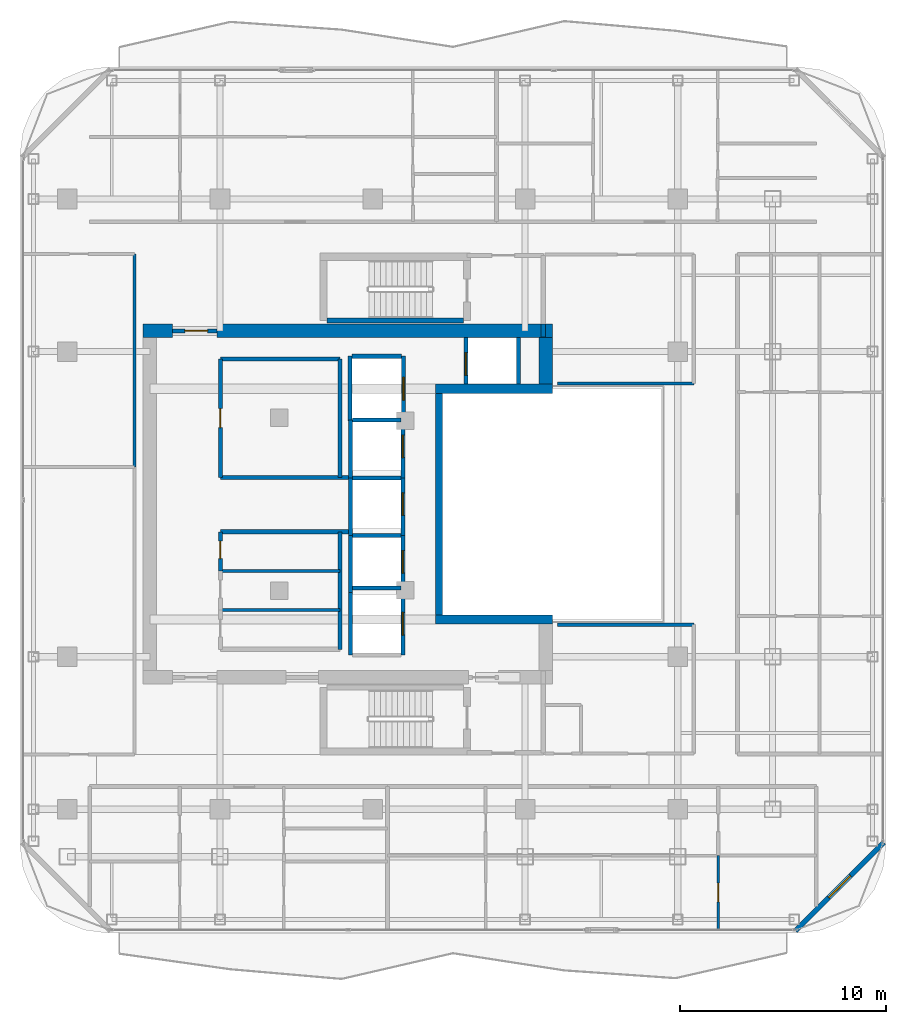
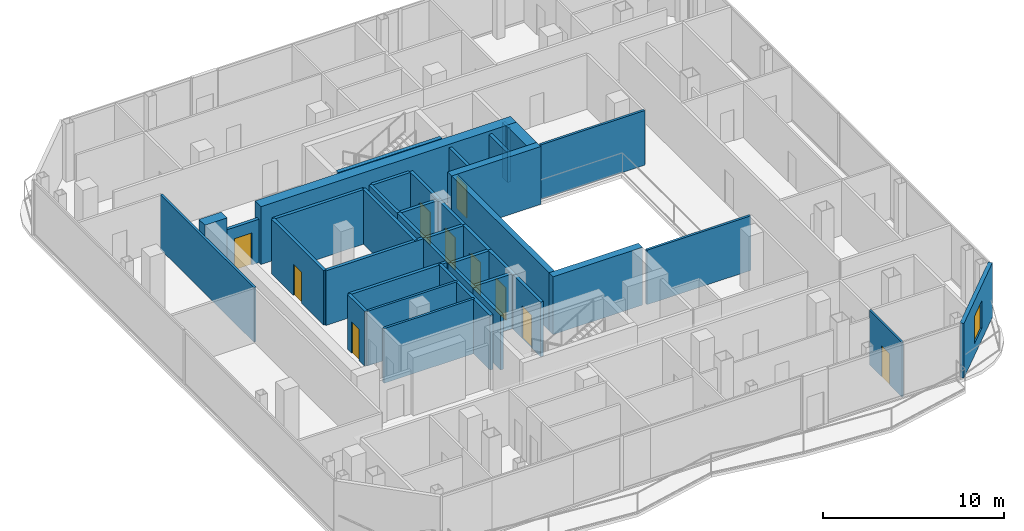
# One storey, part 17 of 22: 40 walls, 10 doors, 1 window, 11 openings.
"""IFC4 building model written with IfcOpenShell, lengths in metres."""

from ifc_helpers import new_model, si_unit, direction, frame, frame_2d, origin, place, context, subcontext, project, spatial, rectangle, extrude, material, layer, layer_set, type_object, element, fill, save


model = new_model("IFC4")

# Units and contexts
model_context = context("Model", 3, precision=1e-05, world=origin(), true_north=direction((0.0, 1.0)))
body_context = subcontext(model_context, "Body", "Model", "MODEL_VIEW")
ifc_project = project(units=[si_unit("LENGTHUNIT", "METRE"), si_unit("AREAUNIT", "SQUARE_METRE"), si_unit("VOLUMEUNIT", "CUBIC_METRE"), si_unit("PLANEANGLEUNIT", "RADIAN"), si_unit("MASSUNIT", "GRAM", prefix="KILO")], contexts=[model_context])

# Site, building, storey
site_placement = place(None, origin())
site = spatial("IfcSite", under=ifc_project, at=site_placement, CompositionType="ELEMENT")
building_placement = place(site_placement, origin())
building = spatial("IfcBuilding", under=site, at=building_placement, Name="Khorvyn Point Tower", CompositionType="ELEMENT")
storey_placement = place(building_placement, frame((0.0, 0.0, 278.10009765625)))
storey = spatial("IfcBuildingStorey", under=building, at=storey_placement, Name="L68", CompositionType="ELEMENT", Elevation=278.10009765625)

# Wall, opening, window
ifc_material_1 = material(Name="Pale anodised aluminium rainscreen on steel stud", Category="steel")
ifc_layer_1 = layer(ifc_material_1, 0.239990234375)
ifc_layer_set_1 = layer_set([ifc_layer_1], Name="Anodised Aluminium Insulated Corner Spandrel Wall 240")
wall_type_1 = type_object("IfcWallType", Name="Anodised Aluminium Insulated Corner Spandrel Wall 240", PredefinedType="SOLIDWALL", material=ifc_layer_set_1)
wall_1_placement = place(storey_placement, frame((24.79248046875, -16.40771484375, 0.0), z_axis=(0.0, 0.0, 1.0), x_axis=(-0.707126925818, -0.707086635981, 0.0)))
wall_1 = element("IfcWall", 1, at=wall_1_placement, inside=storey, type_object=wall_type_1, Name="L68 Rounded Corner Wall SE", PredefinedType="SOLIDWALL", context=body_context, shape_type="SweptSolid", body=[
    extrude(rectangle(XDim=6.0595703125, YDim=0.239990234375, at=frame_2d((3.02978515625, 0.0))), origin(), (0.0, 0.0, 1.0), 3.679931640625),
])
opening_1_placement = place(wall_1_placement, frame((2.27978515625, 0.0, 0.800048828125)))
opening_1 = element("IfcOpeningElement", 2, at=opening_1_placement, cuts=wall_1, Name="Opening WN-1518", PredefinedType="OPENING", context=body_context, shape_type="SweptSolid", body=[
    extrude(rectangle(XDim=1.5, YDim=1.85009765625, at=frame_2d((0.75, 0.925048828125))), frame((0.0, 0.1298828125, 0.0), z_axis=(0.0, -1.0, 0.0), x_axis=(1.0, 0.0, 0.0)), (0.0, 0.0, 1.0), 0.260009765625),
])
ifc_material_2 = material(Name="Anodised aluminium 6063-T6 and laminated Low-E glass", Category="aluminium")
window_type = type_object("IfcWindowType", Name="Anodised Aluminium Rounded-Corner Panoramic Window 1500x1850", PartitioningType="SINGLE_PANEL", PredefinedType="WINDOW", material=ifc_material_2)
window_placement = place(opening_1_placement, origin())
window = element("IfcWindow", 3, at=window_placement, inside=storey, type_object=window_type, Name="L68 Corner Panoramic Window SE", OverallHeight=1.85009765625, OverallWidth=1.5, PartitioningType="SINGLE_PANEL", PredefinedType="WINDOW", context=body_context, shape_type="SweptSolid", body=[
    extrude(rectangle(XDim=1.5, YDim=1.85009765625, at=frame_2d((0.75, 0.925048828125))), frame((0.0, 0.030029296875, 0.0), z_axis=(0.0, -1.0, 0.0), x_axis=(1.0, 0.0, 0.0)), (0.0, 0.0, 1.0), 0.06005859375),
])
fill(opening_1, window)

# Walls
ifc_material_3 = material(Name="Concrete C40/50", Category="concrete")
ifc_layer_2 = layer(ifc_material_3, 0.449951171875)
ifc_layer_set_2 = layer_set([ifc_layer_2], Name="Concrete C40/50 Core Shear Wall 450")
wall_type_2 = type_object("IfcWallType", Name="Concrete C40/50 Core Shear Wall 450", PredefinedType="SHEAR", material=ifc_layer_set_2)
for number, where, z_axis, x_axis, name in (
    (4, (3.044921875, -5.60009765625, 0.0), (0.0, 0.0, 1.0), (1.0, 0.0, 0.0), "Wall"),
    (5, (3.044921875, 5.60009765625, 0.0), (0.0, 0.0, 1.0), (1.0, 0.0, 0.0), "Wall"),
):
    element("IfcWall", number, at=place(storey_placement, frame(where, z_axis=z_axis, x_axis=x_axis)), inside=storey, type_object=wall_type_2, Name=name, PredefinedType="SHEAR", context=body_context, shape_type="SweptSolid", body=[
        extrude(rectangle(XDim=5.68017578125, YDim=0.449951171875, at=frame_2d((2.840087890625, 0.0))), origin(), (0.0, 0.0, 1.0), 3.89990234375),
    ])
ifc_layer_3 = layer(ifc_material_3, 0.64990234375)
ifc_layer_set_3 = layer_set([ifc_layer_3], Name="Concrete C40/50 Core Shear Wall 650")
wall_type_3 = type_object("IfcWallType", Name="Concrete C40/50 Core Shear Wall 650", PredefinedType="SHEAR", material=ifc_layer_set_3)
wall_2_placement = place(storey_placement, frame((-11.125, 8.39990234375, 0.0), z_axis=(0.0, 0.0, 1.0), x_axis=(1.0, 0.0, 0.0)))
element("IfcWall", 6, at=wall_2_placement, inside=storey, type_object=wall_type_3, Name="Wall", PredefinedType="SHEAR", context=body_context, shape_type="SweptSolid", body=[
    extrude(rectangle(XDim=1.425048828125, YDim=0.64990234375, at=frame_2d((0.71240234375, 0.0))), origin(), (0.0, 0.0, 1.0), 3.89990234375),
])
wall_3_placement = place(storey_placement, frame((-7.550048828125, 8.39990234375, 0.0), z_axis=(0.0, 0.0, 1.0), x_axis=(1.0, 0.0, 0.0)))
element("IfcWall", 7, at=wall_3_placement, inside=storey, type_object=wall_type_3, Name="Wall", PredefinedType="SHEAR", context=body_context, shape_type="SweptSolid", body=[
    extrude(rectangle(XDim=16.275146484375, YDim=0.64990234375, at=frame_2d((8.1376953125, 0.0))), origin(), (0.0, 0.0, 1.0), 3.89990234375),
])
wall_4_placement = place(storey_placement, frame((8.39990234375, 5.824951171875, 0.0), z_axis=(0.0, 0.0, 1.0), x_axis=(0.0, 1.0, 0.0)))
element("IfcWall", 8, at=wall_4_placement, inside=storey, type_object=wall_type_3, Name="Wall", PredefinedType="SHEAR", context=body_context, shape_type="SweptSolid", body=[
    extrude(rectangle(XDim=2.25, YDim=0.64990234375, at=frame_2d((1.125, 0.0))), origin(), (0.0, 0.0, 1.0), 3.89990234375),
])

# Wall, opening, door
ifc_layer_4 = layer(ifc_material_3, 0.199951171875)
ifc_layer_set_4 = layer_set([ifc_layer_4], Name="Concrete C40/50 Fire-Lobby Compartment Wall 200")
wall_type_4 = type_object("IfcWallType", Name="Concrete C40/50 Fire-Lobby Compartment Wall 200", PredefinedType="SOLIDWALL", material=ifc_layer_set_4)
wall_5_placement = place(storey_placement, frame((-9.699951171875, 8.39990234375, 0.0), z_axis=(0.0, 0.0, 1.0), x_axis=(1.0, 0.0, 0.0)))
wall_5 = element("IfcWall", 9, at=wall_5_placement, inside=storey, type_object=wall_type_4, Name="Wall", PredefinedType="SOLIDWALL", context=body_context, shape_type="SweptSolid", body=[
    extrude(rectangle(XDim=2.14990234375, YDim=0.199951171875, at=frame_2d((1.074951171875, 0.0))), origin(), (0.0, 0.0, 1.0), 2.919921875),
])
opening_2_placement = place(wall_5_placement, frame((0.597900390625, 0.0, 0.0)))
opening_2 = element("IfcOpeningElement", 10, at=opening_2_placement, cuts=wall_5, Name="Opening ID-FL90", PredefinedType="OPENING", context=body_context, shape_type="SweptSolid", body=[
    extrude(rectangle(XDim=1.10009765625, YDim=2.14990234375, at=frame_2d((0.550048828125, 1.074951171875))), frame((0.0, 0.10986328125, 0.0), z_axis=(0.0, -1.0, 0.0), x_axis=(1.0, 0.0, 0.0)), (0.0, 0.0, 1.0), 0.219970703125),
])
ifc_material_4 = material(Name="Galvanised powder-coated steel", Category="steel")
door_type_1 = type_object("IfcDoorType", Name="Fire-Rated Steel Lobby and Stair Door 1100x2150", OperationType="NOTDEFINED", PredefinedType="DOOR", material=ifc_material_4)
door_1_placement = place(opening_2_placement, origin())
door_1 = element("IfcDoor", 11, at=door_1_placement, inside=storey, type_object=door_type_1, Name="Door", OperationType="SINGLE_SWING_LEFT", OverallHeight=2.14990234375, OverallWidth=1.10009765625, PredefinedType="DOOR", context=body_context, shape_type="SweptSolid", body=[
    extrude(rectangle(XDim=1.10009765625, YDim=2.14990234375, at=frame_2d((0.550048828125, 1.074951171875))), frame((0.0, 0.02490234375, 0.0), z_axis=(0.0, -1.0, 0.0), x_axis=(1.0, 0.0, 0.0)), (0.0, 0.0, 1.0), 0.050048828125),
])
fill(opening_2, door_1)

wall_6_placement = place(storey_placement, frame((-7.3798828125, -3.239990234375, 0.0), z_axis=(0.0, 0.0, 1.0), x_axis=(0.0, 1.0, 0.0)))
wall_6 = element("IfcWall", 12, at=wall_6_placement, inside=storey, type_object=wall_type_4, Name="Wall", PredefinedType="SOLIDWALL", context=body_context, shape_type="SweptSolid", body=[
    extrude(rectangle(XDim=1.89990234375, YDim=0.199951171875, at=frame_2d((0.949951171875, 0.0))), origin(), (0.0, 0.0, 1.0), 3.679931640625),
])
opening_3_placement = place(wall_6_placement, frame((0.597900390625, 0.0, 0.0)))
opening_3 = element("IfcOpeningElement", 13, at=opening_3_placement, cuts=wall_6, Name="Opening ID-WC85", PredefinedType="OPENING", context=body_context, shape_type="SweptSolid", body=[
    extrude(rectangle(XDim=0.85009765625, YDim=2.10009765625, at=frame_2d((0.425048828125, 1.050048828125))), frame((0.0, 0.10986328125, 0.0), z_axis=(0.0, -1.0, 0.0), x_axis=(1.0, 0.0, 0.0)), (0.0, 0.0, 1.0), 0.219970703125),
])
ifc_material_5 = material(Name="High-pressure laminate on moisture-resistant core", Category="wood")
door_type_2 = type_object("IfcDoorType", Name="Moisture-Resistant Accessible Washroom Door 850x2100", OperationType="NOTDEFINED", PredefinedType="DOOR", material=ifc_material_5)
door_2_placement = place(opening_3_placement, origin())
door_2 = element("IfcDoor", 14, at=door_2_placement, inside=storey, type_object=door_type_2, Name="Door", OperationType="SINGLE_SWING_RIGHT", OverallHeight=2.10009765625, OverallWidth=0.85009765625, PredefinedType="DOOR", context=body_context, shape_type="SweptSolid", body=[
    extrude(rectangle(XDim=0.85009765625, YDim=2.10009765625, at=frame_2d((0.425048828125, 1.050048828125))), frame((0.0, 0.02490234375, 0.0), z_axis=(0.0, -1.0, 0.0), x_axis=(1.0, 0.0, 0.0)), (0.0, 0.0, 1.0), 0.050048828125),
])
fill(opening_3, door_2)

wall_7_placement = place(storey_placement, frame((-7.3798828125, 1.300048828125, 0.0), z_axis=(0.0, 0.0, 1.0), x_axis=(0.0, 1.0, 0.0)))
wall_7 = element("IfcWall", 15, at=wall_7_placement, inside=storey, type_object=wall_type_4, Name="Wall", PredefinedType="SOLIDWALL", context=body_context, shape_type="SweptSolid", body=[
    extrude(rectangle(XDim=5.739990234375, YDim=0.199951171875, at=frame_2d((2.8701171875, 0.0))), origin(), (0.0, 0.0, 1.0), 3.679931640625),
])
opening_4_placement = place(wall_7_placement, frame((2.409912109375, 0.0, 0.0)))
opening_4 = element("IfcOpeningElement", 16, at=opening_4_placement, cuts=wall_7, Name="Opening ID-RS60", PredefinedType="OPENING", context=body_context, shape_type="SweptSolid", body=[
    extrude(rectangle(XDim=0.919921875, YDim=2.10009765625, at=frame_2d((0.4599609375, 1.050048828125))), frame((0.0, 0.10986328125, 0.0), z_axis=(0.0, -1.0, 0.0), x_axis=(1.0, 0.0, 0.0)), (0.0, 0.0, 1.0), 0.219970703125),
])
door_type_3 = type_object("IfcDoorType", Name="Fire-Rated Riser and Store Steel Door 920x2100", OperationType="NOTDEFINED", PredefinedType="DOOR", material=ifc_material_4)
door_3_placement = place(opening_4_placement, origin())
door_3 = element("IfcDoor", 17, at=door_3_placement, inside=storey, type_object=door_type_3, Name="Door", OperationType="SINGLE_SWING_LEFT", OverallHeight=2.10009765625, OverallWidth=0.919921875, PredefinedType="DOOR", context=body_context, shape_type="SweptSolid", body=[
    extrude(rectangle(XDim=0.919921875, YDim=2.10009765625, at=frame_2d((0.4599609375, 1.050048828125))), frame((0.0, 0.02490234375, 0.0), z_axis=(0.0, -1.0, 0.0), x_axis=(1.0, 0.0, 0.0)), (0.0, 0.0, 1.0), 0.050048828125),
])
fill(opening_4, door_3)

# Walls
for number, where, z_axis, x_axis, name in (
    (18, (-7.3798828125, -1.340087890625, 0.0), (0.0, 0.0, 1.0), (1.0, 0.0, 0.0), "Wall"),
    (19, (-7.3798828125, 1.300048828125, 0.0), (0.0, 0.0, 1.0), (1.0, 0.0, 0.0), "Wall"),
):
    element("IfcWall", number, at=place(storey_placement, frame(where, z_axis=z_axis, x_axis=x_axis)), inside=storey, type_object=wall_type_4, Name=name, PredefinedType="SOLIDWALL", context=body_context, shape_type="SweptSolid", body=[
        extrude(rectangle(XDim=6.239990234375, YDim=0.199951171875, at=frame_2d((3.1201171875, 0.0))), origin(), (0.0, 0.0, 1.0), 3.679931640625),
    ])
wall_8_placement = place(storey_placement, frame((-1.580078125, -7.0400390625, 0.0), z_axis=(0.0, 0.0, 1.0), x_axis=(0.0, 1.0, 0.0)))
element("IfcWall", 20, at=wall_8_placement, inside=storey, type_object=wall_type_4, Name="Wall", PredefinedType="SOLIDWALL", context=body_context, shape_type="SweptSolid", body=[
    extrude(rectangle(XDim=5.699951171875, YDim=0.199951171875, at=frame_2d((2.85009765625, 0.0))), origin(), (0.0, 0.0, 1.0), 3.679931640625),
])
wall_9_placement = place(storey_placement, frame((-1.580078125, 1.300048828125, 0.0), z_axis=(0.0, 0.0, 1.0), x_axis=(0.0, 1.0, 0.0)))
element("IfcWall", 21, at=wall_9_placement, inside=storey, type_object=wall_type_4, Name="Wall", PredefinedType="SOLIDWALL", context=body_context, shape_type="SweptSolid", body=[
    extrude(rectangle(XDim=5.739990234375, YDim=0.199951171875, at=frame_2d((2.8701171875, 0.0))), origin(), (0.0, 0.0, 1.0), 3.679931640625),
])
wall_10_placement = place(storey_placement, frame((-7.3798828125, 7.0400390625, 0.0), z_axis=(0.0, 0.0, 1.0), x_axis=(1.0, 0.0, 0.0)))
element("IfcWall", 22, at=wall_10_placement, inside=storey, type_object=wall_type_4, Name="Wall", PredefinedType="SOLIDWALL", context=body_context, shape_type="SweptSolid", body=[
    extrude(rectangle(XDim=5.7998046875, YDim=0.199951171875, at=frame_2d((2.89990234375, 0.0))), origin(), (0.0, 0.0, 1.0), 3.679931640625),
])
wall_11_placement = place(storey_placement, frame((8.280029296875, 8.10009765625, 0.0), z_axis=(0.0, 0.0, 1.0), x_axis=(0.0, 1.0, 0.0)))
element("IfcWall", 23, at=wall_11_placement, inside=storey, type_object=wall_type_4, Name="Wall", PredefinedType="SOLIDWALL", context=body_context, shape_type="SweptSolid", body=[
    extrude(rectangle(XDim=0.625, YDim=0.199951171875, at=frame_2d((0.3125, 0.0))), origin(), (0.0, 0.0, 1.0), 3.679931640625),
])
ifc_layer_5 = layer(ifc_material_3, 0.25)
ifc_layer_set_5 = layer_set([ifc_layer_5], Name="Concrete C40/50 Stair Inner Cheek Structural Wall 250")
wall_type_5 = type_object("IfcWallType", Name="Concrete C40/50 Stair Inner Cheek Structural Wall 250", PredefinedType="SHEAR", material=ifc_layer_set_5)
wall_12_placement = place(storey_placement, frame((-2.199951171875, 8.89990234375, 0.0), z_axis=(0.0, 0.0, 1.0), x_axis=(1.0, 0.0, 0.0)))
element("IfcWall", 24, at=wall_12_placement, inside=storey, type_object=wall_type_5, Name="Wall", PredefinedType="SHEAR", context=body_context, shape_type="SweptSolid", body=[
    extrude(rectangle(XDim=6.599853515625, YDim=0.25, at=frame_2d((3.2998046875, 0.0))), origin(), (0.0, 0.0, 1.0), 3.89990234375),
])
ifc_layer_6 = layer(ifc_material_3, 0.35009765625)
ifc_layer_set_6 = layer_set([ifc_layer_6], Name="Concrete C40/50 Stair Shaft Structural Wall 350")
wall_type_6 = type_object("IfcWallType", Name="Concrete C40/50 Stair Shaft Structural Wall 350", PredefinedType="SHEAR", material=ifc_layer_set_6)
wall_13_placement = place(storey_placement, frame((3.219970703125, -5.375, 0.0), z_axis=(0.0, 0.0, 1.0), x_axis=(0.0, 1.0, 0.0)))
element("IfcWall", 25, at=wall_13_placement, inside=storey, type_object=wall_type_6, Name="Wall", PredefinedType="SHEAR", context=body_context, shape_type="SweptSolid", body=[
    extrude(rectangle(XDim=10.75, YDim=0.35009765625, at=frame_2d((5.375, 0.0))), origin(), (0.0, 0.0, 1.0), 3.89990234375),
])
ifc_layer_7 = layer(ifc_material_3, 0.199951171875)
ifc_layer_set_7 = layer_set([ifc_layer_7], Name="Concrete C40/50 Structural Hoistway and Stair Shaft Wall 200")
wall_type_7 = type_object("IfcWallType", Name="Concrete C40/50 Structural Hoistway and Stair Shaft Wall 200", PredefinedType="SHEAR", material=ifc_layer_set_7)
wall_14_placement = place(storey_placement, frame((-1.074951171875, -4.27490234375, 0.0), z_axis=(0.0, 0.0, 1.0), x_axis=(0.0, 1.0, 0.0)))
element("IfcWall", 26, at=wall_14_placement, inside=storey, type_object=wall_type_7, Name="Wall", PredefinedType="SHEAR", context=body_context, shape_type="SweptSolid", body=[
    extrude(rectangle(XDim=2.75, YDim=0.199951171875, at=frame_2d((1.375, 0.0))), origin(), (0.0, 0.0, 1.0), 3.679931640625),
])

# Wall, opening, door
wall_15_placement = place(storey_placement, frame((1.47509765625, -4.27490234375, 0.0), z_axis=(0.0, 0.0, 1.0), x_axis=(0.0, 1.0, 0.0)))
wall_15 = element("IfcWall", 27, at=wall_15_placement, inside=storey, type_object=wall_type_7, Name="Wall", PredefinedType="SHEAR", context=body_context, shape_type="SweptSolid", body=[
    extrude(rectangle(XDim=2.75, YDim=0.199951171875, at=frame_2d((1.375, 0.0))), origin(), (0.0, 0.0, 1.0), 3.679931640625),
])
opening_5_placement = place(wall_15_placement, frame((0.925048828125, 0.0, 0.0)))
opening_5 = element("IfcOpeningElement", 28, at=opening_5_placement, cuts=wall_15, Name="Opening LD-1122", PredefinedType="OPENING", context=body_context, shape_type="SweptSolid", body=[
    extrude(rectangle(XDim=1.10009765625, YDim=2.199951171875, at=frame_2d((0.550048828125, 1.10009765625))), frame((0.0, 0.10986328125, 0.0), z_axis=(0.0, -1.0, 0.0), x_axis=(1.0, 0.0, 0.0)), (0.0, 0.0, 1.0), 0.219970703125),
])
ifc_material_6 = material(Name="Stainless steel 1.4301", Category="steel")
door_type_4 = type_object("IfcDoorType", Name="Stainless Steel Automatic Sliding Lift Landing Door 1100x2200", OperationType="SLIDING_TO_LEFT", PredefinedType="DOOR", material=ifc_material_6)
door_4_placement = place(opening_5_placement, origin())
door_4 = element("IfcDoor", 29, at=door_4_placement, inside=storey, type_object=door_type_4, Name="L68 RH-01 Sliding Lift Landing Door", OperationType="SLIDING_TO_LEFT", OverallHeight=2.199951171875, OverallWidth=1.10009765625, PredefinedType="DOOR", context=body_context, shape_type="SweptSolid", body=[
    extrude(rectangle(XDim=1.10009765625, YDim=2.199951171875, at=frame_2d((0.550048828125, 1.10009765625))), frame((0.0, 0.02490234375, 0.0), z_axis=(0.0, -1.0, 0.0), x_axis=(1.0, 0.0, 0.0)), (0.0, 0.0, 1.0), 0.050048828125),
])
fill(opening_5, door_4)

# Walls
for number, where, z_axis, x_axis, name in (
    (30, (-0.97509765625, -4.074951171875, 0.0), (0.0, 0.0, 1.0), (1.0, 0.0, 0.0), "Wall"),
    (31, (-0.97509765625, -1.52490234375, 0.0), (0.0, 0.0, 1.0), (1.0, 0.0, 0.0), "Wall"),
):
    element("IfcWall", number, at=place(storey_placement, frame(where, z_axis=z_axis, x_axis=x_axis)), inside=storey, type_object=wall_type_7, Name=name, PredefinedType="SHEAR", context=body_context, shape_type="SweptSolid", body=[
        extrude(rectangle(XDim=2.35009765625, YDim=0.199951171875, at=frame_2d((1.175048828125, 0.0))), origin(), (0.0, 0.0, 1.0), 3.679931640625),
    ])
wall_16_placement = place(storey_placement, frame((-1.074951171875, -1.52490234375, 0.0), z_axis=(0.0, 0.0, 1.0), x_axis=(0.0, 1.0, 0.0)))
element("IfcWall", 32, at=wall_16_placement, inside=storey, type_object=wall_type_7, Name="Wall", PredefinedType="SHEAR", context=body_context, shape_type="SweptSolid", body=[
    extrude(rectangle(XDim=2.7998046875, YDim=0.199951171875, at=frame_2d((1.39990234375, 0.0))), origin(), (0.0, 0.0, 1.0), 3.679931640625),
])

# Wall, opening, door
wall_17_placement = place(storey_placement, frame((1.47509765625, -1.52490234375, 0.0), z_axis=(0.0, 0.0, 1.0), x_axis=(0.0, 1.0, 0.0)))
wall_17 = element("IfcWall", 33, at=wall_17_placement, inside=storey, type_object=wall_type_7, Name="Wall", PredefinedType="SHEAR", context=body_context, shape_type="SweptSolid", body=[
    extrude(rectangle(XDim=2.7998046875, YDim=0.199951171875, at=frame_2d((1.39990234375, 0.0))), origin(), (0.0, 0.0, 1.0), 3.679931640625),
])
opening_6_placement = place(wall_17_placement, frame((0.97509765625, 0.0, 0.0)))
opening_6 = element("IfcOpeningElement", 34, at=opening_6_placement, cuts=wall_17, Name="Opening LD-1122", PredefinedType="OPENING", context=body_context, shape_type="SweptSolid", body=[
    extrude(rectangle(XDim=1.10009765625, YDim=2.199951171875, at=frame_2d((0.550048828125, 1.10009765625))), frame((0.0, 0.10986328125, 0.0), z_axis=(0.0, -1.0, 0.0), x_axis=(1.0, 0.0, 0.0)), (0.0, 0.0, 1.0), 0.219970703125),
])
door_5_placement = place(opening_6_placement, origin())
door_5 = element("IfcDoor", 35, at=door_5_placement, inside=storey, type_object=door_type_4, Name="L68 RH-02 Sliding Lift Landing Door", OperationType="SLIDING_TO_LEFT", OverallHeight=2.199951171875, OverallWidth=1.10009765625, PredefinedType="DOOR", context=body_context, shape_type="SweptSolid", body=[
    extrude(rectangle(XDim=1.10009765625, YDim=2.199951171875, at=frame_2d((0.550048828125, 1.10009765625))), frame((0.0, 0.02490234375, 0.0), z_axis=(0.0, -1.0, 0.0), x_axis=(1.0, 0.0, 0.0)), (0.0, 0.0, 1.0), 0.050048828125),
])
fill(opening_6, door_5)

# Walls
wall_18_placement = place(storey_placement, frame((-0.97509765625, 1.27490234375, 0.0), z_axis=(0.0, 0.0, 1.0), x_axis=(1.0, 0.0, 0.0)))
element("IfcWall", 36, at=wall_18_placement, inside=storey, type_object=wall_type_7, Name="Wall", PredefinedType="SHEAR", context=body_context, shape_type="SweptSolid", body=[
    extrude(rectangle(XDim=2.35009765625, YDim=0.199951171875, at=frame_2d((1.175048828125, 0.0))), origin(), (0.0, 0.0, 1.0), 3.679931640625),
])
wall_19_placement = place(storey_placement, frame((-1.074951171875, 1.27490234375, 0.0), z_axis=(0.0, 0.0, 1.0), x_axis=(0.0, 1.0, 0.0)))
element("IfcWall", 37, at=wall_19_placement, inside=storey, type_object=wall_type_7, Name="Wall", PredefinedType="SHEAR", context=body_context, shape_type="SweptSolid", body=[
    extrude(rectangle(XDim=2.800048828125, YDim=0.199951171875, at=frame_2d((1.39990234375, 0.0))), origin(), (0.0, 0.0, 1.0), 3.679931640625),
])

# Wall, opening, door
wall_20_placement = place(storey_placement, frame((1.47509765625, 1.27490234375, 0.0), z_axis=(0.0, 0.0, 1.0), x_axis=(0.0, 1.0, 0.0)))
wall_20 = element("IfcWall", 38, at=wall_20_placement, inside=storey, type_object=wall_type_7, Name="Wall", PredefinedType="SHEAR", context=body_context, shape_type="SweptSolid", body=[
    extrude(rectangle(XDim=2.800048828125, YDim=0.199951171875, at=frame_2d((1.39990234375, 0.0))), origin(), (0.0, 0.0, 1.0), 3.679931640625),
])
opening_7_placement = place(wall_20_placement, frame((0.97509765625, 0.0, 0.0)))
opening_7 = element("IfcOpeningElement", 39, at=opening_7_placement, cuts=wall_20, Name="Opening LD-1122", PredefinedType="OPENING", context=body_context, shape_type="SweptSolid", body=[
    extrude(rectangle(XDim=1.10009765625, YDim=2.199951171875, at=frame_2d((0.550048828125, 1.10009765625))), frame((0.0, 0.10986328125, 0.0), z_axis=(0.0, -1.0, 0.0), x_axis=(1.0, 0.0, 0.0)), (0.0, 0.0, 1.0), 0.219970703125),
])
door_6_placement = place(opening_7_placement, origin())
door_6 = element("IfcDoor", 40, at=door_6_placement, inside=storey, type_object=door_type_4, Name="L68 RH-03 Sliding Lift Landing Door", OperationType="SLIDING_TO_LEFT", OverallHeight=2.199951171875, OverallWidth=1.10009765625, PredefinedType="DOOR", context=body_context, shape_type="SweptSolid", body=[
    extrude(rectangle(XDim=1.10009765625, YDim=2.199951171875, at=frame_2d((0.550048828125, 1.10009765625))), frame((0.0, 0.02490234375, 0.0), z_axis=(0.0, -1.0, 0.0), x_axis=(1.0, 0.0, 0.0)), (0.0, 0.0, 1.0), 0.050048828125),
])
fill(opening_7, door_6)

# Walls
wall_21_placement = place(storey_placement, frame((-0.97509765625, 4.074951171875, 0.0), z_axis=(0.0, 0.0, 1.0), x_axis=(1.0, 0.0, 0.0)))
element("IfcWall", 41, at=wall_21_placement, inside=storey, type_object=wall_type_7, Name="Wall", PredefinedType="SHEAR", context=body_context, shape_type="SweptSolid", body=[
    extrude(rectangle(XDim=2.35009765625, YDim=0.199951171875, at=frame_2d((1.175048828125, 0.0))), origin(), (0.0, 0.0, 1.0), 3.679931640625),
])
wall_22_placement = place(storey_placement, frame((-1.10009765625, 4.02490234375, 0.0), z_axis=(0.0, 0.0, 1.0), x_axis=(0.0, 1.0, 0.0)))
element("IfcWall", 42, at=wall_22_placement, inside=storey, type_object=wall_type_7, Name="Wall", PredefinedType="SHEAR", context=body_context, shape_type="SweptSolid", body=[
    extrude(rectangle(XDim=3.150146484375, YDim=0.199951171875, at=frame_2d((1.5751953125, 0.0))), origin(), (0.0, 0.0, 1.0), 3.679931640625),
])

# Wall, opening, door
wall_23_placement = place(storey_placement, frame((1.5, 4.02490234375, 0.0), z_axis=(0.0, 0.0, 1.0), x_axis=(0.0, 1.0, 0.0)))
wall_23 = element("IfcWall", 43, at=wall_23_placement, inside=storey, type_object=wall_type_7, Name="Wall", PredefinedType="SHEAR", context=body_context, shape_type="SweptSolid", body=[
    extrude(rectangle(XDim=3.150146484375, YDim=0.199951171875, at=frame_2d((1.5751953125, 0.0))), origin(), (0.0, 0.0, 1.0), 3.679931640625),
])
opening_8_placement = place(wall_23_placement, frame((1.02490234375, 0.0, 0.0)))
opening_8 = element("IfcOpeningElement", 44, at=opening_8_placement, cuts=wall_23, Name="Opening LD-1122", PredefinedType="OPENING", context=body_context, shape_type="SweptSolid", body=[
    extrude(rectangle(XDim=1.10009765625, YDim=2.199951171875, at=frame_2d((0.550048828125, 1.10009765625))), frame((0.0, 0.10986328125, 0.0), z_axis=(0.0, -1.0, 0.0), x_axis=(1.0, 0.0, 0.0)), (0.0, 0.0, 1.0), 0.219970703125),
])
door_7_placement = place(opening_8_placement, origin())
door_7 = element("IfcDoor", 45, at=door_7_placement, inside=storey, type_object=door_type_4, Name="L68 SV-01 Sliding Lift Landing Door", OperationType="SLIDING_TO_LEFT", OverallHeight=2.199951171875, OverallWidth=1.10009765625, PredefinedType="DOOR", context=body_context, shape_type="SweptSolid", body=[
    extrude(rectangle(XDim=1.10009765625, YDim=2.199951171875, at=frame_2d((0.550048828125, 1.10009765625))), frame((0.0, 0.02490234375, 0.0), z_axis=(0.0, -1.0, 0.0), x_axis=(1.0, 0.0, 0.0)), (0.0, 0.0, 1.0), 0.050048828125),
])
fill(opening_8, door_7)

# Walls
wall_24_placement = place(storey_placement, frame((-1.0, 7.175048828125, 0.0), z_axis=(0.0, 0.0, 1.0), x_axis=(1.0, 0.0, 0.0)))
element("IfcWall", 46, at=wall_24_placement, inside=storey, type_object=wall_type_7, Name="Wall", PredefinedType="SHEAR", context=body_context, shape_type="SweptSolid", body=[
    extrude(rectangle(XDim=2.39990234375, YDim=0.199951171875, at=frame_2d((1.199951171875, 0.0))), origin(), (0.0, 0.0, 1.0), 3.679931640625),
])
wall_25_placement = place(storey_placement, frame((-1.074951171875, -7.324951171875, 0.0), z_axis=(0.0, 0.0, 1.0), x_axis=(0.0, 1.0, 0.0)))
element("IfcWall", 47, at=wall_25_placement, inside=storey, type_object=wall_type_7, Name="Wall", PredefinedType="SHEAR", context=body_context, shape_type="SweptSolid", body=[
    extrude(rectangle(XDim=3.050048828125, YDim=0.199951171875, at=frame_2d((1.52490234375, 0.0))), origin(), (0.0, 0.0, 1.0), 3.679931640625),
])

# Wall, opening, door
wall_26_placement = place(storey_placement, frame((1.47509765625, -7.324951171875, 0.0), z_axis=(0.0, 0.0, 1.0), x_axis=(0.0, 1.0, 0.0)))
wall_26 = element("IfcWall", 48, at=wall_26_placement, inside=storey, type_object=wall_type_7, Name="Wall", PredefinedType="SHEAR", context=body_context, shape_type="SweptSolid", body=[
    extrude(rectangle(XDim=3.050048828125, YDim=0.199951171875, at=frame_2d((1.52490234375, 0.0))), origin(), (0.0, 0.0, 1.0), 3.679931640625),
])
opening_9_placement = place(wall_26_placement, frame((0.97509765625, 0.0, 0.0)))
opening_9 = element("IfcOpeningElement", 49, at=opening_9_placement, cuts=wall_26, Name="Opening LD-1122", PredefinedType="OPENING", context=body_context, shape_type="SweptSolid", body=[
    extrude(rectangle(XDim=1.10009765625, YDim=2.199951171875, at=frame_2d((0.550048828125, 1.10009765625))), frame((0.0, 0.10986328125, 0.0), z_axis=(0.0, -1.0, 0.0), x_axis=(1.0, 0.0, 0.0)), (0.0, 0.0, 1.0), 0.219970703125),
])
door_8_placement = place(opening_9_placement, origin())
door_8 = element("IfcDoor", 50, at=door_8_placement, inside=storey, type_object=door_type_4, Name="L68 FF-01 Sliding Lift Landing Door", OperationType="SLIDING_TO_LEFT", OverallHeight=2.199951171875, OverallWidth=1.10009765625, PredefinedType="DOOR", context=body_context, shape_type="SweptSolid", body=[
    extrude(rectangle(XDim=1.10009765625, YDim=2.199951171875, at=frame_2d((0.550048828125, 1.10009765625))), frame((0.0, 0.02490234375, 0.0), z_axis=(0.0, -1.0, 0.0), x_axis=(1.0, 0.0, 0.0)), (0.0, 0.0, 1.0), 0.050048828125),
])
fill(opening_9, door_8)

wall_27_placement = place(storey_placement, frame((4.52490234375, 5.824951171875, 0.0), z_axis=(0.0, 0.0, 1.0), x_axis=(0.0, 1.0, 0.0)))
wall_27 = element("IfcWall", 51, at=wall_27_placement, inside=storey, type_object=wall_type_7, Name="Wall", PredefinedType="SHEAR", context=body_context, shape_type="SweptSolid", body=[
    extrude(rectangle(XDim=2.25, YDim=0.199951171875, at=frame_2d((1.125, 0.0))), origin(), (0.0, 0.0, 1.0), 3.679931640625),
])
opening_10_placement = place(wall_27_placement, frame((0.425048828125, 0.0, 0.0)))
opening_10 = element("IfcOpeningElement", 52, at=opening_10_placement, cuts=wall_27, Name="Opening LD-1122", PredefinedType="OPENING", context=body_context, shape_type="SweptSolid", body=[
    extrude(rectangle(XDim=1.10009765625, YDim=2.199951171875, at=frame_2d((0.550048828125, 1.10009765625))), frame((0.0, 0.10986328125, 0.0), z_axis=(0.0, -1.0, 0.0), x_axis=(1.0, 0.0, 0.0)), (0.0, 0.0, 1.0), 0.219970703125),
])
door_9_placement = place(opening_10_placement, origin())
door_9 = element("IfcDoor", 53, at=door_9_placement, inside=storey, type_object=door_type_4, Name="L68 FF-02 Sliding Lift Landing Door", OperationType="SLIDING_TO_LEFT", OverallHeight=2.199951171875, OverallWidth=1.10009765625, PredefinedType="DOOR", context=body_context, shape_type="SweptSolid", body=[
    extrude(rectangle(XDim=1.10009765625, YDim=2.199951171875, at=frame_2d((0.550048828125, 1.10009765625))), frame((0.0, 0.02490234375, 0.0), z_axis=(0.0, -1.0, 0.0), x_axis=(1.0, 0.0, 0.0)), (0.0, 0.0, 1.0), 0.050048828125),
])
fill(opening_10, door_9)

# Wall
wall_28_placement = place(storey_placement, frame((7.074951171875, 5.824951171875, 0.0), z_axis=(0.0, 0.0, 1.0), x_axis=(0.0, 1.0, 0.0)))
element("IfcWall", 54, at=wall_28_placement, inside=storey, type_object=wall_type_7, Name="Wall", PredefinedType="SHEAR", context=body_context, shape_type="SweptSolid", body=[
    extrude(rectangle(XDim=2.25, YDim=0.199951171875, at=frame_2d((1.125, 0.0))), origin(), (0.0, 0.0, 1.0), 3.679931640625),
])

# Wall, opening, door
ifc_material_7 = material(Name="Gypsum plasterboard on steel stud", Category="steel")
ifc_layer_8 = layer(ifc_material_7, 0.1201171875)
ifc_layer_set_8 = layer_set([ifc_layer_8], Name="Gypsum Acoustic Stud Room Partition Wall 120")
wall_type_8 = type_object("IfcWallType", Name="Gypsum Acoustic Stud Room Partition Wall 120", PredefinedType="PARTITIONING", material=ifc_layer_set_8)
wall_29_placement = place(storey_placement, frame((16.76806640625, -20.6298828125, 0.0), z_axis=(0.0, 0.0, 1.0), x_axis=(0.0, 1.0, 0.0)))
wall_29 = element("IfcWall", 55, at=wall_29_placement, inside=storey, type_object=wall_type_8, Name="Wall", PredefinedType="PARTITIONING", context=body_context, shape_type="SweptSolid", body=[
    extrude(rectangle(XDim=3.5849609375, YDim=0.1201171875, at=frame_2d((1.79248046875, 0.0))), origin(), (0.0, 0.0, 1.0), 3.679931640625),
])
opening_11_placement = place(wall_29_placement, frame((1.342529296875, 0.0, 0.0)))
opening_11 = element("IfcOpeningElement", 56, at=opening_11_placement, cuts=wall_29, Name="Opening ID-RM90", PredefinedType="OPENING", context=body_context, shape_type="SweptSolid", body=[
    extrude(rectangle(XDim=0.89990234375, YDim=2.10009765625, at=frame_2d((0.449951171875, 1.050048828125))), frame((0.0, 0.070068359375, 0.0), z_axis=(0.0, -1.0, 0.0), x_axis=(1.0, 0.0, 0.0)), (0.0, 0.0, 1.0), 0.14013671875),
])
ifc_material_8 = material(Name="Engineered oak veneer timber", Category="wood")
door_type_5 = type_object("IfcDoorType", Name="Flush Engineered Timber Room Door 900x2100", OperationType="NOTDEFINED", PredefinedType="DOOR", material=ifc_material_8)
door_10_placement = place(opening_11_placement, origin())
door_10 = element("IfcDoor", 57, at=door_10_placement, inside=storey, type_object=door_type_5, Name="Door", OperationType="SINGLE_SWING_LEFT", OverallHeight=2.10009765625, OverallWidth=0.89990234375, PredefinedType="DOOR", context=body_context, shape_type="SweptSolid", body=[
    extrude(rectangle(XDim=0.89990234375, YDim=2.10009765625, at=frame_2d((0.449951171875, 1.050048828125))), frame((0.0, 0.02490234375, 0.0), z_axis=(0.0, -1.0, 0.0), x_axis=(1.0, 0.0, 0.0)), (0.0, 0.0, 1.0), 0.050048828125),
])
fill(opening_11, door_10)

# Walls
ifc_material_9 = material(Name="Moisture-resistant gypsum and cement board", Category="gypsum")
ifc_layer_9 = layer(ifc_material_9, 0.14990234375)
ifc_layer_set_9 = layer_set([ifc_layer_9], Name="Moisture-Resistant Wet-Room Partition Wall 150")
wall_type_9 = type_object("IfcWallType", Name="Moisture-Resistant Wet-Room Partition Wall 150", PredefinedType="PARTITIONING", material=ifc_layer_set_9)
for number, where, z_axis, x_axis, name in (
    (58, (-7.3798828125, -5.139892578125, 0.0), (0.0, 0.0, 1.0), (1.0, 0.0, 0.0), "Wall"),
    (59, (-7.3798828125, -3.239990234375, 0.0), (0.0, 0.0, 1.0), (1.0, 0.0, 0.0), "Wall"),
):
    element("IfcWall", number, at=place(storey_placement, frame(where, z_axis=z_axis, x_axis=x_axis)), inside=storey, type_object=wall_type_9, Name=name, PredefinedType="PARTITIONING", context=body_context, shape_type="SweptSolid", body=[
        extrude(rectangle(XDim=5.7998046875, YDim=0.14990234375, at=frame_2d((2.89990234375, 0.0))), origin(), (0.0, 0.0, 1.0), 3.679931640625),
    ])
for number, where, z_axis, x_axis, name in (
    (60, (8.9599609375, -5.85009765625, 0.0), (0.0, 0.0, 1.0), (1.0, 0.0, 0.0), "Wall"),
    (61, (8.9599609375, 5.85009765625, 0.0), (0.0, 0.0, 1.0), (1.0, 0.0, 0.0), "Wall"),
):
    element("IfcWall", number, at=place(storey_placement, frame(where, z_axis=z_axis, x_axis=x_axis)), inside=storey, type_object=wall_type_9, Name=name, PredefinedType="PARTITIONING", context=body_context, shape_type="SweptSolid", body=[
        extrude(rectangle(XDim=6.6201171875, YDim=0.14990234375, at=frame_2d((3.31005859375, 0.0))), origin(), (0.0, 0.0, 1.0), 3.679931640625),
    ])
wall_30_placement = place(storey_placement, frame((-11.550048828125, 1.800048828125, 0.0), z_axis=(0.0, 0.0, 1.0), x_axis=(0.0, 1.0, 0.0)))
element("IfcWall", 62, at=wall_30_placement, inside=storey, type_object=wall_type_9, Name="Wall", PredefinedType="PARTITIONING", context=body_context, shape_type="SweptSolid", body=[
    extrude(rectangle(XDim=10.33984375, YDim=0.14990234375, at=frame_2d((5.169921875, 0.0))), origin(), (0.0, 0.0, 1.0), 3.679931640625),
])

save(model, "model.ifc")
